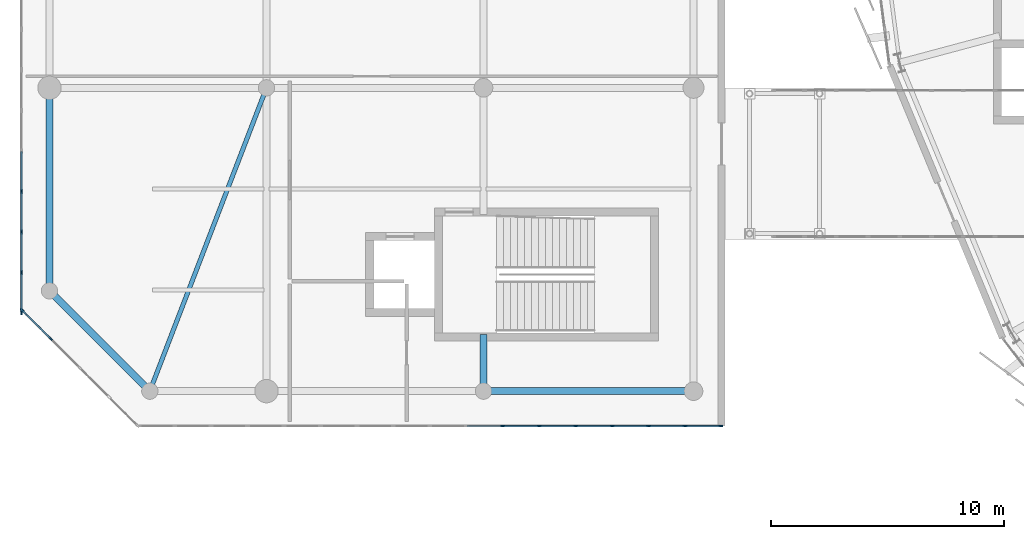
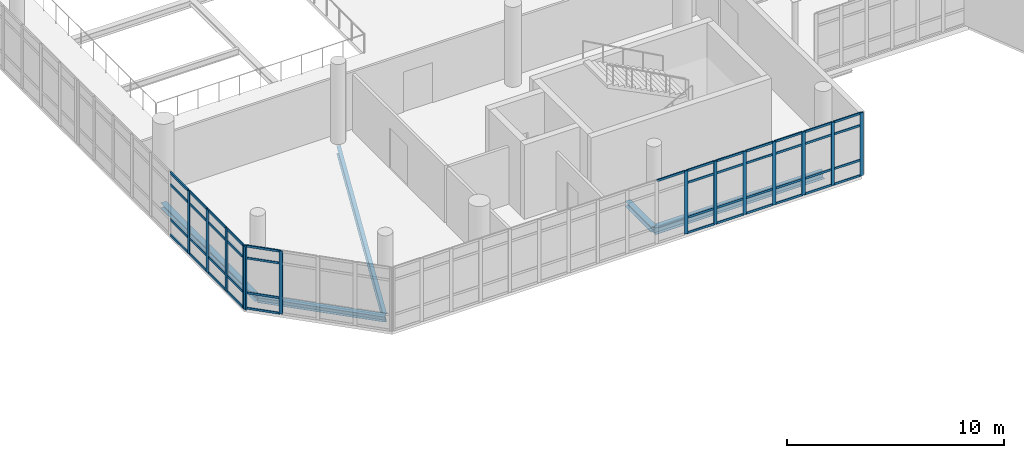
# One storey, part 27 of 125: 58 members, 5 beams, 3 elements without a shape of their own.
"""IFC4 building model written with IfcOpenShell, lengths in metres."""

import ifcopenshell
import ifcopenshell.guid

model = None  # the IFC model being written
_history = None  # IfcOwnerHistory: only IFC2X3 demands one
_inside = {}  # id of a spatial element -> (the spatial element, [elements in it])
_under = {}  # id of a project, library or spatial element -> (it, [spatial elements below it])
_declared = {}  # id of a project -> (the project, [libraries it declares])
_typed = {}  # id of a type object -> (the type object, [elements of that type])
_made_of = {}  # id of a material, layer set ... -> (it, [elements and type objects made of it])


def new_model(schema):
    """Start an empty IFC model of exactly this schema.

    Asked for "IFC4X3", IfcOpenShell would pick the latest addendum, in which some entities
    have other attributes; the version numbers below select the first issue.
    IFC2X3 requires an IfcOwnerHistory on every rooted entity: one is made here for all.
    """
    global model, _history
    if schema == "IFC4X3":
        model = ifcopenshell.file(schema_version=(4, 3, 0, 0))
    else:
        model = ifcopenshell.file(schema=schema)
    _inside.clear()
    _under.clear()
    _declared.clear()
    _typed.clear()
    _made_of.clear()
    _history = None
    if model.schema == "IFC2X3":
        org = make("IfcOrganization", Name="unknown")
        user = make(
            "IfcPersonAndOrganization",
            ThePerson=make("IfcPerson", FamilyName="unknown"),
            TheOrganization=org,
        )
        app = make(
            "IfcApplication",
            ApplicationDeveloper=org,
            Version="unknown",
            ApplicationFullName="unknown",
            ApplicationIdentifier="unknown",
        )
        _history = make(
            "IfcOwnerHistory",
            OwningUser=user,
            OwningApplication=app,
            ChangeAction="ADDED",
            CreationDate=0,
        )
    return model


def make(cls, **values):
    """One entity of the class cls with the attributes given. An attribute that is None is left unset."""
    return model.create_entity(
        cls, **{name: value for name, value in values.items() if value is not None}
    )


def rooted(cls, **values):
    """An entity with a GlobalId (a new one), such as an element, a storey or a relation."""
    return make(cls, GlobalId=ifcopenshell.guid.new(), OwnerHistory=_history, **values)


def si_unit(unit_type, name, prefix=None):
    """IfcSIUnit, for example si_unit("LENGTHUNIT", "METRE", prefix="MILLI")."""
    return make("IfcSIUnit", UnitType=unit_type, Prefix=prefix, Name=name)


def assignment(units):
    """IfcUnitAssignment: the units of a project."""
    return None if units is None else make("IfcUnitAssignment", Units=units)


def point(xyz):
    """IfcCartesianPoint."""
    return None if xyz is None else make("IfcCartesianPoint", Coordinates=xyz)


def direction(xyz):
    """IfcDirection."""
    return None if xyz is None else make("IfcDirection", DirectionRatios=xyz)


def frame(location, z_axis=None, x_axis=None):
    """IfcAxis2Placement3D, a coordinate frame: its origin and axes. An axis left out is left unset."""
    return make(
        "IfcAxis2Placement3D",
        Location=point(location),
        Axis=direction(z_axis),
        RefDirection=direction(x_axis),
    )


def frame_2d(location, x_axis=None):
    """IfcAxis2Placement2D, a coordinate frame in the plane: its origin and x axis."""
    return make(
        "IfcAxis2Placement2D", Location=point(location), RefDirection=direction(x_axis)
    )


def origin():
    """The frame at (0, 0, 0) with its axes left unset."""
    return frame((0.0, 0.0, 0.0))


def origin_2d():
    """The frame at (0, 0) in the plane with its x axis left unset."""
    return frame_2d((0.0, 0.0))


def place(relative_to, where):
    """IfcLocalPlacement: puts the frame where relative to a parent placement (None: the world)."""
    return make(
        "IfcLocalPlacement", PlacementRelTo=relative_to, RelativePlacement=where
    )


def context(
    kind, dimensions, precision=None, world=None, true_north=None, identifier=None
):
    """IfcGeometricRepresentationContext, for example the 3D "Model" context."""
    return make(
        "IfcGeometricRepresentationContext",
        ContextIdentifier=identifier,
        ContextType=kind,
        CoordinateSpaceDimension=dimensions,
        Precision=precision,
        WorldCoordinateSystem=world,
        TrueNorth=true_north,
    )


def subcontext(parent, identifier, kind, view, scale=None):
    """IfcGeometricRepresentationSubContext, for example "Body" below "Model"."""
    return make(
        "IfcGeometricRepresentationSubContext",
        ContextIdentifier=identifier,
        ContextType=kind,
        ParentContext=parent,
        TargetScale=scale,
        TargetView=view,
    )


def project(units=None, contexts=None):
    """IfcProject with its units and contexts."""
    return rooted(
        "IfcProject",
        Name="project",
        RepresentationContexts=contexts,
        UnitsInContext=assignment(units),
    )


def spatial(cls, under=None, at=None, **own):
    """A site, building, storey or space (cls), placed at a placement, below another one or the project."""
    s = rooted(cls, ObjectPlacement=at, **own)
    if under is not None:
        _under.setdefault(under.id(), (under, []))[1].append(s)
    return s


def profile(cls, at=None, kind="AREA", **sizes):
    """A parametric profile (cls). Its sizes go by their IFC names, for example OverallWidth=200.0."""
    return make(cls, ProfileType=kind, Position=at, **sizes)


def rectangle(**sizes):
    """IfcRectangleProfileDef."""
    return profile("IfcRectangleProfileDef", **sizes)


def i_section(**sizes):
    """IfcIShapeProfileDef."""
    return profile("IfcIShapeProfileDef", **sizes)


def extrude(swept, where, along, depth):
    """IfcExtrudedAreaSolid: the profile swept, set in the frame where, extruded along a direction by depth."""
    return make(
        "IfcExtrudedAreaSolid",
        SweptArea=swept,
        Position=where,
        ExtrudedDirection=direction(along),
        Depth=depth,
    )


def shape(context_of_items, identifier, shape_type, items):
    """IfcShapeRepresentation: the items that make up one representation, for example the "Body"."""
    return make(
        "IfcShapeRepresentation",
        ContextOfItems=context_of_items,
        RepresentationIdentifier=identifier,
        RepresentationType=shape_type,
        Items=items,
    )


def material(Name=None, Category=None):
    """IfcMaterial."""
    return make("IfcMaterial", Name=Name, Category=Category)


def layer(
    of_material, thickness, ventilated=None, Name=None, Category=None, Priority=None
):
    """IfcMaterialLayer: one layer of a wall or slab, of a material (None: an air gap)."""
    return make(
        "IfcMaterialLayer",
        Material=of_material,
        LayerThickness=thickness,
        IsVentilated=ventilated,
        Name=Name,
        Category=Category,
        Priority=Priority,
    )


def layer_set(layers, Name=None):
    """IfcMaterialLayerSet."""
    return make("IfcMaterialLayerSet", MaterialLayers=layers, LayerSetName=Name)


def material_profile(
    of_material, cross_section, Name=None, Category=None, Priority=None
):
    """IfcMaterialProfile: a cross section and its material."""
    return make(
        "IfcMaterialProfile",
        Name=Name,
        Material=of_material,
        Profile=cross_section,
        Priority=Priority,
        Category=Category,
    )


def profile_set(profiles, Name=None, composite=None):
    """IfcMaterialProfileSet."""
    return make(
        "IfcMaterialProfileSet",
        Name=Name,
        MaterialProfiles=profiles,
        CompositeProfile=composite,
    )


def made_of(thing, what):
    """Note that an element or type object is made of a material, layer set ...; save() writes the relation."""
    if what is not None:
        _made_of.setdefault(what.id(), (what, []))[1].append(thing)
    return thing


def type_object(cls, material=None, **own):
    """A type object (cls), such as IfcWallType, which elements share."""
    return made_of(rooted(cls, **own), material)


def element(
    cls,
    number,
    at=None,
    inside=None,
    cuts=None,
    type_object=None,
    material=None,
    context=None,
    identifier="Body",
    shape_type=None,
    held_by="IfcProductDefinitionShape",
    body=None,
    shapes=None,
    **own,
):
    """One element of the class cls, such as IfcWall. Its Tag is "e" and its number.

    at: its placement. inside: the storey or other place that contains it. cuts: it is an
    opening in that element (IfcRelVoidsElement). A single representation is given by context,
    identifier, shape_type and body (its items); several are given by shapes. held_by: the class
    of the entity that holds the representations. save() writes the other relations.
    """
    e = rooted(cls, Tag="e%d" % number, ObjectPlacement=at, **own)
    if body is not None:
        shapes = [shape(context, identifier, shape_type, body)]
    if shapes is not None:
        e.Representation = make(held_by, Representations=shapes)
    if inside is not None:
        _inside.setdefault(inside.id(), (inside, []))[1].append(e)
    if cuts is not None:
        rooted(
            "IfcRelVoidsElement", RelatingBuildingElement=cuts, RelatedOpeningElement=e
        )
    if type_object is not None:
        _typed.setdefault(type_object.id(), (type_object, []))[1].append(e)
    return made_of(e, material)


def aggregate(whole, parts):
    """IfcRelAggregates: a whole, such as a stair, and the parts it consists of."""
    return rooted("IfcRelAggregates", RelatingObject=whole, RelatedObjects=parts)


def save(model, path):
    """Write the relations noted so far, then the file.

    IfcRelAggregates (storeys below a building ...), IfcRelContainedInSpatialStructure (elements
    in a storey), IfcRelDefinesByType, IfcRelAssociatesMaterial and IfcRelDeclares: one each for
    every whole, place, type object, material and project.
    """
    for whole, parts in _under.values():
        aggregate(whole, parts)
    for where, things in _inside.values():
        rooted(
            "IfcRelContainedInSpatialStructure",
            RelatedElements=things,
            RelatingStructure=where,
        )
    for kind, things in _typed.values():
        rooted("IfcRelDefinesByType", RelatedObjects=things, RelatingType=kind)
    for what, things in _made_of.values():
        rooted("IfcRelAssociatesMaterial", RelatedObjects=things, RelatingMaterial=what)
    for by, libraries in _declared.values():
        rooted("IfcRelDeclares", RelatingContext=by, RelatedDefinitions=libraries)
    model.write(path)


model = new_model("IFC4")

# Units and contexts
model_context = context("Model", 3, precision=1e-05, world=origin(), true_north=direction((0.0, 1.0)))
body_context = subcontext(model_context, "Body", "Model", "MODEL_VIEW")
ifc_project = project(units=[si_unit("LENGTHUNIT", "METRE"), si_unit("AREAUNIT", "SQUARE_METRE"), si_unit("VOLUMEUNIT", "CUBIC_METRE"), si_unit("PLANEANGLEUNIT", "RADIAN"), si_unit("MASSUNIT", "GRAM", prefix="KILO")], contexts=[model_context])

# Site, building, storey
site_placement = place(None, origin())
site = spatial("IfcSite", under=ifc_project, at=site_placement, CompositionType="ELEMENT")
building_placement = place(site_placement, origin())
building = spatial("IfcBuilding", under=site, at=building_placement, Name="Sohan Crest Arena", CompositionType="ELEMENT")
storey_placement = place(building_placement, frame((0.0, 0.0, 9.0)))
storey = spatial("IfcBuildingStorey", under=building, at=storey_placement, Name="L02", CompositionType="ELEMENT", Elevation=9.0)

# Curtain wall, members
ifc_material_1 = material(Name="Thermally broken anodised aluminium", Category="aluminium")
ifc_layer_1 = layer(ifc_material_1, 0.199951171875, Name="Thermally broken anodised aluminium")
ifc_layer_set_1 = layer_set([ifc_layer_1], Name="Thermally broken anodised aluminium")
curtain_wall_type_1 = type_object("IfcCurtainWallType", Name="ARC-CW02", PredefinedType="NOTDEFINED", material=ifc_layer_set_1)
curtain_wall_1_placement = place(storey_placement, origin())
curtain_wall_1 = element("IfcCurtainWall", 1, at=curtain_wall_1_placement, inside=storey, type_object=curtain_wall_type_1, Name="Unitised curtain wall CW-213", PredefinedType="NOTDEFINED")
ifc_material_profile_1 = material_profile(ifc_material_1, rectangle(XDim=0.06494140625, YDim=0.179931640625, at=origin_2d()), Name="ALU-MULL 65x180")
ifc_profile_set_1 = profile_set([ifc_material_profile_1], Name="Thermally broken anodised aluminium")
member_type_1 = type_object("IfcMemberType", Name="ARC-CW-ML02", PredefinedType="MULLION", material=ifc_profile_set_1)
member_1_placement = place(storey_placement, frame((34.625, 50.0, 0.0), z_axis=(0.0, 0.0, 1.0), x_axis=(0.0, 1.0, 0.0)))
member_1 = element("IfcMember", 2, at=member_1_placement, type_object=member_type_1, Name="CW-213 mullion 11", PredefinedType="MULLION", context=body_context, shape_type="SweptSolid", body=[
    extrude(rectangle(XDim=0.06494140625, YDim=0.179931640625, at=origin_2d()), origin(), (0.0, 0.0, 1.0), 3.550048828125),
])
member_2_placement = place(storey_placement, frame((36.1875, 50.0, 0.0), z_axis=(0.0, 0.0, 1.0), x_axis=(0.0, 1.0, 0.0)))
member_2 = element("IfcMember", 3, at=member_2_placement, type_object=member_type_1, Name="CW-213 mullion 12", PredefinedType="MULLION", context=body_context, shape_type="SweptSolid", body=[
    extrude(rectangle(XDim=0.06494140625, YDim=0.179931640625, at=origin_2d()), origin(), (0.0, 0.0, 1.0), 3.550048828125),
])
member_3_placement = place(storey_placement, frame((37.75, 50.0, 0.0), z_axis=(0.0, 0.0, 1.0), x_axis=(0.0, 1.0, 0.0)))
member_3 = element("IfcMember", 4, at=member_3_placement, type_object=member_type_1, Name="CW-213 mullion 13", PredefinedType="MULLION", context=body_context, shape_type="SweptSolid", body=[
    extrude(rectangle(XDim=0.06494140625, YDim=0.179931640625, at=origin_2d()), origin(), (0.0, 0.0, 1.0), 3.550048828125),
])
member_4_placement = place(storey_placement, frame((39.3125, 50.0, 0.0), z_axis=(0.0, 0.0, 1.0), x_axis=(0.0, 1.0, 0.0)))
member_4 = element("IfcMember", 5, at=member_4_placement, type_object=member_type_1, Name="CW-213 mullion 14", PredefinedType="MULLION", context=body_context, shape_type="SweptSolid", body=[
    extrude(rectangle(XDim=0.06494140625, YDim=0.179931640625, at=origin_2d()), origin(), (0.0, 0.0, 1.0), 3.550048828125),
])
member_5_placement = place(storey_placement, frame((40.875, 50.0, 0.0), z_axis=(0.0, 0.0, 1.0), x_axis=(0.0, 1.0, 0.0)))
member_5 = element("IfcMember", 6, at=member_5_placement, type_object=member_type_1, Name="CW-213 mullion 15", PredefinedType="MULLION", context=body_context, shape_type="SweptSolid", body=[
    extrude(rectangle(XDim=0.06494140625, YDim=0.179931640625, at=origin_2d()), origin(), (0.0, 0.0, 1.0), 3.550048828125),
])
member_6_placement = place(storey_placement, frame((42.4375, 50.0, 0.0), z_axis=(0.0, 0.0, 1.0), x_axis=(0.0, 1.0, 0.0)))
member_6 = element("IfcMember", 7, at=member_6_placement, type_object=member_type_1, Name="CW-213 mullion 16", PredefinedType="MULLION", context=body_context, shape_type="SweptSolid", body=[
    extrude(rectangle(XDim=0.06494140625, YDim=0.179931640625, at=origin_2d()), origin(), (0.0, 0.0, 1.0), 3.550048828125),
])
member_7_placement = place(storey_placement, frame((43.967529296875, 50.0, 0.0), z_axis=(0.0, 0.0, 1.0), x_axis=(0.0, 1.0, 0.0)))
member_7 = element("IfcMember", 8, at=member_7_placement, type_object=member_type_1, Name="CW-213 mullion 17", PredefinedType="MULLION", context=body_context, shape_type="SweptSolid", body=[
    extrude(rectangle(XDim=0.06494140625, YDim=0.179931640625, at=origin_2d()), origin(), (0.0, 0.0, 1.0), 3.550048828125),
])

curtain_wall_2_placement = place(storey_placement, origin())
curtain_wall_2 = element("IfcCurtainWall", 9, at=curtain_wall_2_placement, inside=storey, type_object=curtain_wall_type_1, Name="Unitised curtain wall CW-219", PredefinedType="NOTDEFINED")
member_8_placement = place(storey_placement, frame((14.02294921875, 54.97705078125, 0.0), z_axis=(0.0, 0.0, 1.0), x_axis=(0.707106781187, 0.707106781187, 0.0)))
member_8 = element("IfcMember", 10, at=member_8_placement, type_object=member_type_1, Name="CW-219 mullion 1", PredefinedType="MULLION", context=body_context, shape_type="SweptSolid", body=[
    extrude(rectangle(XDim=0.06494140625, YDim=0.179931640625, at=origin_2d()), origin(), (0.0, 0.0, 1.0), 3.550048828125),
])
member_9_placement = place(storey_placement, frame((15.25, 53.75, 0.0), z_axis=(0.0, 0.0, 1.0), x_axis=(0.707106781187, 0.707106781187, 0.0)))
member_9 = element("IfcMember", 11, at=member_9_placement, type_object=member_type_1, Name="CW-219 mullion 2", PredefinedType="MULLION", context=body_context, shape_type="SweptSolid", body=[
    extrude(rectangle(XDim=0.06494140625, YDim=0.179931640625, at=origin_2d()), origin(), (0.0, 0.0, 1.0), 3.550048828125),
])

ifc_layer_2 = layer(ifc_material_1, 0.219970703125, Name="Thermally broken anodised aluminium")
ifc_layer_set_2 = layer_set([ifc_layer_2], Name="Thermally broken anodised aluminium")
curtain_wall_type_2 = type_object("IfcCurtainWallType", Name="ARC-CW03", PredefinedType="NOTDEFINED", material=ifc_layer_set_2)
curtain_wall_3_placement = place(storey_placement, origin())
curtain_wall_3 = element("IfcCurtainWall", 12, at=curtain_wall_3_placement, inside=storey, type_object=curtain_wall_type_2, Name="Unitised curtain wall CW-218", PredefinedType="NOTDEFINED")
ifc_material_profile_2 = material_profile(ifc_material_1, rectangle(XDim=0.070068359375, YDim=0.199951171875, at=origin_2d()), Name="ALU-MULL 70x200")
ifc_profile_set_2 = profile_set([ifc_material_profile_2], Name="Thermally broken anodised aluminium")
member_type_2 = type_object("IfcMemberType", Name="ARC-CW-ML03", PredefinedType="MULLION", material=ifc_profile_set_2)
member_10_placement = place(storey_placement, frame((14.0, 60.06103515625, 0.0), z_axis=(0.0, 0.0, 1.0), x_axis=(1.0, 0.0, 0.0)))
member_10 = element("IfcMember", 13, at=member_10_placement, type_object=member_type_2, Name="CW-218 mullion 7", PredefinedType="MULLION", context=body_context, shape_type="SweptSolid", body=[
    extrude(rectangle(XDim=0.070068359375, YDim=0.199951171875, at=origin_2d()), origin(), (0.0, 0.0, 1.0), 3.550048828125),
])
member_11_placement = place(storey_placement, frame((14.0, 58.323974609375, 0.0), z_axis=(0.0, 0.0, 1.0), x_axis=(1.0, 0.0, 0.0)))
member_11 = element("IfcMember", 14, at=member_11_placement, type_object=member_type_2, Name="CW-218 mullion 8", PredefinedType="MULLION", context=body_context, shape_type="SweptSolid", body=[
    extrude(rectangle(XDim=0.070068359375, YDim=0.199951171875, at=origin_2d()), origin(), (0.0, 0.0, 1.0), 3.550048828125),
])
member_12_placement = place(storey_placement, frame((14.0, 56.5869140625, 0.0), z_axis=(0.0, 0.0, 1.0), x_axis=(1.0, 0.0, 0.0)))
member_12 = element("IfcMember", 15, at=member_12_placement, type_object=member_type_2, Name="CW-218 mullion 9", PredefinedType="MULLION", context=body_context, shape_type="SweptSolid", body=[
    extrude(rectangle(XDim=0.070068359375, YDim=0.199951171875, at=origin_2d()), origin(), (0.0, 0.0, 1.0), 3.550048828125),
])
member_13_placement = place(storey_placement, frame((14.0, 54.885009765625, 0.0), z_axis=(0.0, 0.0, 1.0), x_axis=(1.0, 0.0, 0.0)))
member_13 = element("IfcMember", 16, at=member_13_placement, type_object=member_type_2, Name="CW-218 mullion 10", PredefinedType="MULLION", context=body_context, shape_type="SweptSolid", body=[
    extrude(rectangle(XDim=0.070068359375, YDim=0.199951171875, at=origin_2d()), origin(), (0.0, 0.0, 1.0), 3.550048828125),
])

# Member
ifc_material_profile_3 = material_profile(ifc_material_1, rectangle(XDim=0.06005859375, YDim=0.1201171875, at=origin_2d()), Name="ALU-TRAN 60x120")
ifc_profile_set_3 = profile_set([ifc_material_profile_3], Name="Thermally broken anodised aluminium")
member_type_3 = type_object("IfcMemberType", Name="ARC-CW-TR01", PredefinedType="USERDEFINED", material=ifc_profile_set_3)
member_14_placement = place(storey_placement, frame((33.094970703125, 50.0, 3.52001953125), z_axis=(1.0, 0.0, 0.0), x_axis=(0.0, 1.0, 0.0)))
member_14 = element("IfcMember", 17, at=member_14_placement, type_object=member_type_3, Name="CW-213 transom 10.4", ObjectType="TRANSOM", PredefinedType="USERDEFINED", context=body_context, shape_type="SweptSolid", body=[
    extrude(rectangle(XDim=0.06005859375, YDim=0.1201171875, at=origin_2d()), origin(), (0.0, 0.0, 1.0), 1.49755859375),
])

member_15_placement = place(storey_placement, frame((34.657470703125, 50.0, 0.030029296875), z_axis=(1.0, 0.0, 0.0), x_axis=(0.0, 1.0, 0.0)))
member_15 = element("IfcMember", 18, at=member_15_placement, type_object=member_type_3, Name="CW-213 transom 11.1", ObjectType="TRANSOM", PredefinedType="USERDEFINED", context=body_context, shape_type="SweptSolid", body=[
    extrude(rectangle(XDim=0.06005859375, YDim=0.1201171875, at=origin_2d()), origin(), (0.0, 0.0, 1.0), 1.49755859375),
])

member_16_placement = place(storey_placement, frame((34.657470703125, 50.0, 0.89990234375), z_axis=(1.0, 0.0, 0.0), x_axis=(0.0, 1.0, 0.0)))
member_16 = element("IfcMember", 19, at=member_16_placement, type_object=member_type_3, Name="CW-213 transom 11.2", ObjectType="TRANSOM", PredefinedType="USERDEFINED", context=body_context, shape_type="SweptSolid", body=[
    extrude(rectangle(XDim=0.06005859375, YDim=0.1201171875, at=origin_2d()), origin(), (0.0, 0.0, 1.0), 1.49755859375),
])

member_17_placement = place(storey_placement, frame((34.657470703125, 50.0, 2.85009765625), z_axis=(1.0, 0.0, 0.0), x_axis=(0.0, 1.0, 0.0)))
member_17 = element("IfcMember", 20, at=member_17_placement, type_object=member_type_3, Name="CW-213 transom 11.3", ObjectType="TRANSOM", PredefinedType="USERDEFINED", context=body_context, shape_type="SweptSolid", body=[
    extrude(rectangle(XDim=0.06005859375, YDim=0.1201171875, at=origin_2d()), origin(), (0.0, 0.0, 1.0), 1.49755859375),
])

member_18_placement = place(storey_placement, frame((34.657470703125, 50.0, 3.52001953125), z_axis=(1.0, 0.0, 0.0), x_axis=(0.0, 1.0, 0.0)))
member_18 = element("IfcMember", 21, at=member_18_placement, type_object=member_type_3, Name="CW-213 transom 11.4", ObjectType="TRANSOM", PredefinedType="USERDEFINED", context=body_context, shape_type="SweptSolid", body=[
    extrude(rectangle(XDim=0.06005859375, YDim=0.1201171875, at=origin_2d()), origin(), (0.0, 0.0, 1.0), 1.49755859375),
])

member_19_placement = place(storey_placement, frame((36.219970703125, 50.0, 0.030029296875), z_axis=(1.0, 0.0, 0.0), x_axis=(0.0, 1.0, 0.0)))
member_19 = element("IfcMember", 22, at=member_19_placement, type_object=member_type_3, Name="CW-213 transom 12.1", ObjectType="TRANSOM", PredefinedType="USERDEFINED", context=body_context, shape_type="SweptSolid", body=[
    extrude(rectangle(XDim=0.06005859375, YDim=0.1201171875, at=origin_2d()), origin(), (0.0, 0.0, 1.0), 1.49755859375),
])

member_20_placement = place(storey_placement, frame((36.219970703125, 50.0, 0.89990234375), z_axis=(1.0, 0.0, 0.0), x_axis=(0.0, 1.0, 0.0)))
member_20 = element("IfcMember", 23, at=member_20_placement, type_object=member_type_3, Name="CW-213 transom 12.2", ObjectType="TRANSOM", PredefinedType="USERDEFINED", context=body_context, shape_type="SweptSolid", body=[
    extrude(rectangle(XDim=0.06005859375, YDim=0.1201171875, at=origin_2d()), origin(), (0.0, 0.0, 1.0), 1.49755859375),
])

member_21_placement = place(storey_placement, frame((36.219970703125, 50.0, 2.85009765625), z_axis=(1.0, 0.0, 0.0), x_axis=(0.0, 1.0, 0.0)))
member_21 = element("IfcMember", 24, at=member_21_placement, type_object=member_type_3, Name="CW-213 transom 12.3", ObjectType="TRANSOM", PredefinedType="USERDEFINED", context=body_context, shape_type="SweptSolid", body=[
    extrude(rectangle(XDim=0.06005859375, YDim=0.1201171875, at=origin_2d()), origin(), (0.0, 0.0, 1.0), 1.49755859375),
])

member_22_placement = place(storey_placement, frame((36.219970703125, 50.0, 3.52001953125), z_axis=(1.0, 0.0, 0.0), x_axis=(0.0, 1.0, 0.0)))
member_22 = element("IfcMember", 25, at=member_22_placement, type_object=member_type_3, Name="CW-213 transom 12.4", ObjectType="TRANSOM", PredefinedType="USERDEFINED", context=body_context, shape_type="SweptSolid", body=[
    extrude(rectangle(XDim=0.06005859375, YDim=0.1201171875, at=origin_2d()), origin(), (0.0, 0.0, 1.0), 1.49755859375),
])

member_23_placement = place(storey_placement, frame((37.782470703125, 50.0, 0.030029296875), z_axis=(1.0, 0.0, 0.0), x_axis=(0.0, 1.0, 0.0)))
member_23 = element("IfcMember", 26, at=member_23_placement, type_object=member_type_3, Name="CW-213 transom 13.1", ObjectType="TRANSOM", PredefinedType="USERDEFINED", context=body_context, shape_type="SweptSolid", body=[
    extrude(rectangle(XDim=0.06005859375, YDim=0.1201171875, at=origin_2d()), origin(), (0.0, 0.0, 1.0), 1.49755859375),
])

member_24_placement = place(storey_placement, frame((37.782470703125, 50.0, 0.89990234375), z_axis=(1.0, 0.0, 0.0), x_axis=(0.0, 1.0, 0.0)))
member_24 = element("IfcMember", 27, at=member_24_placement, type_object=member_type_3, Name="CW-213 transom 13.2", ObjectType="TRANSOM", PredefinedType="USERDEFINED", context=body_context, shape_type="SweptSolid", body=[
    extrude(rectangle(XDim=0.06005859375, YDim=0.1201171875, at=origin_2d()), origin(), (0.0, 0.0, 1.0), 1.49755859375),
])

member_25_placement = place(storey_placement, frame((37.782470703125, 50.0, 2.85009765625), z_axis=(1.0, 0.0, 0.0), x_axis=(0.0, 1.0, 0.0)))
member_25 = element("IfcMember", 28, at=member_25_placement, type_object=member_type_3, Name="CW-213 transom 13.3", ObjectType="TRANSOM", PredefinedType="USERDEFINED", context=body_context, shape_type="SweptSolid", body=[
    extrude(rectangle(XDim=0.06005859375, YDim=0.1201171875, at=origin_2d()), origin(), (0.0, 0.0, 1.0), 1.49755859375),
])

member_26_placement = place(storey_placement, frame((37.782470703125, 50.0, 3.52001953125), z_axis=(1.0, 0.0, 0.0), x_axis=(0.0, 1.0, 0.0)))
member_26 = element("IfcMember", 29, at=member_26_placement, type_object=member_type_3, Name="CW-213 transom 13.4", ObjectType="TRANSOM", PredefinedType="USERDEFINED", context=body_context, shape_type="SweptSolid", body=[
    extrude(rectangle(XDim=0.06005859375, YDim=0.1201171875, at=origin_2d()), origin(), (0.0, 0.0, 1.0), 1.49755859375),
])

member_27_placement = place(storey_placement, frame((39.344970703125, 50.0, 0.030029296875), z_axis=(1.0, 0.0, 0.0), x_axis=(0.0, 1.0, 0.0)))
member_27 = element("IfcMember", 30, at=member_27_placement, type_object=member_type_3, Name="CW-213 transom 14.1", ObjectType="TRANSOM", PredefinedType="USERDEFINED", context=body_context, shape_type="SweptSolid", body=[
    extrude(rectangle(XDim=0.06005859375, YDim=0.1201171875, at=origin_2d()), origin(), (0.0, 0.0, 1.0), 1.49755859375),
])

member_28_placement = place(storey_placement, frame((39.344970703125, 50.0, 0.89990234375), z_axis=(1.0, 0.0, 0.0), x_axis=(0.0, 1.0, 0.0)))
member_28 = element("IfcMember", 31, at=member_28_placement, type_object=member_type_3, Name="CW-213 transom 14.2", ObjectType="TRANSOM", PredefinedType="USERDEFINED", context=body_context, shape_type="SweptSolid", body=[
    extrude(rectangle(XDim=0.06005859375, YDim=0.1201171875, at=origin_2d()), origin(), (0.0, 0.0, 1.0), 1.49755859375),
])

member_29_placement = place(storey_placement, frame((39.344970703125, 50.0, 2.85009765625), z_axis=(1.0, 0.0, 0.0), x_axis=(0.0, 1.0, 0.0)))
member_29 = element("IfcMember", 32, at=member_29_placement, type_object=member_type_3, Name="CW-213 transom 14.3", ObjectType="TRANSOM", PredefinedType="USERDEFINED", context=body_context, shape_type="SweptSolid", body=[
    extrude(rectangle(XDim=0.06005859375, YDim=0.1201171875, at=origin_2d()), origin(), (0.0, 0.0, 1.0), 1.49755859375),
])

member_30_placement = place(storey_placement, frame((39.344970703125, 50.0, 3.52001953125), z_axis=(1.0, 0.0, 0.0), x_axis=(0.0, 1.0, 0.0)))
member_30 = element("IfcMember", 33, at=member_30_placement, type_object=member_type_3, Name="CW-213 transom 14.4", ObjectType="TRANSOM", PredefinedType="USERDEFINED", context=body_context, shape_type="SweptSolid", body=[
    extrude(rectangle(XDim=0.06005859375, YDim=0.1201171875, at=origin_2d()), origin(), (0.0, 0.0, 1.0), 1.49755859375),
])

member_31_placement = place(storey_placement, frame((40.907470703125, 50.0, 0.030029296875), z_axis=(1.0, 0.0, 0.0), x_axis=(0.0, 1.0, 0.0)))
member_31 = element("IfcMember", 34, at=member_31_placement, type_object=member_type_3, Name="CW-213 transom 15.1", ObjectType="TRANSOM", PredefinedType="USERDEFINED", context=body_context, shape_type="SweptSolid", body=[
    extrude(rectangle(XDim=0.06005859375, YDim=0.1201171875, at=origin_2d()), origin(), (0.0, 0.0, 1.0), 1.49755859375),
])

member_32_placement = place(storey_placement, frame((40.907470703125, 50.0, 0.89990234375), z_axis=(1.0, 0.0, 0.0), x_axis=(0.0, 1.0, 0.0)))
member_32 = element("IfcMember", 35, at=member_32_placement, type_object=member_type_3, Name="CW-213 transom 15.2", ObjectType="TRANSOM", PredefinedType="USERDEFINED", context=body_context, shape_type="SweptSolid", body=[
    extrude(rectangle(XDim=0.06005859375, YDim=0.1201171875, at=origin_2d()), origin(), (0.0, 0.0, 1.0), 1.49755859375),
])

member_33_placement = place(storey_placement, frame((40.907470703125, 50.0, 2.85009765625), z_axis=(1.0, 0.0, 0.0), x_axis=(0.0, 1.0, 0.0)))
member_33 = element("IfcMember", 36, at=member_33_placement, type_object=member_type_3, Name="CW-213 transom 15.3", ObjectType="TRANSOM", PredefinedType="USERDEFINED", context=body_context, shape_type="SweptSolid", body=[
    extrude(rectangle(XDim=0.06005859375, YDim=0.1201171875, at=origin_2d()), origin(), (0.0, 0.0, 1.0), 1.49755859375),
])

member_34_placement = place(storey_placement, frame((40.907470703125, 50.0, 3.52001953125), z_axis=(1.0, 0.0, 0.0), x_axis=(0.0, 1.0, 0.0)))
member_34 = element("IfcMember", 37, at=member_34_placement, type_object=member_type_3, Name="CW-213 transom 15.4", ObjectType="TRANSOM", PredefinedType="USERDEFINED", context=body_context, shape_type="SweptSolid", body=[
    extrude(rectangle(XDim=0.06005859375, YDim=0.1201171875, at=origin_2d()), origin(), (0.0, 0.0, 1.0), 1.49755859375),
])

member_35_placement = place(storey_placement, frame((42.469970703125, 50.0, 0.030029296875), z_axis=(1.0, 0.0, 0.0), x_axis=(0.0, 1.0, 0.0)))
member_35 = element("IfcMember", 38, at=member_35_placement, type_object=member_type_3, Name="CW-213 transom 16.1", ObjectType="TRANSOM", PredefinedType="USERDEFINED", context=body_context, shape_type="SweptSolid", body=[
    extrude(rectangle(XDim=0.06005859375, YDim=0.1201171875, at=origin_2d()), origin(), (0.0, 0.0, 1.0), 1.465087890625),
])

member_36_placement = place(storey_placement, frame((42.469970703125, 50.0, 0.89990234375), z_axis=(1.0, 0.0, 0.0), x_axis=(0.0, 1.0, 0.0)))
member_36 = element("IfcMember", 39, at=member_36_placement, type_object=member_type_3, Name="CW-213 transom 16.2", ObjectType="TRANSOM", PredefinedType="USERDEFINED", context=body_context, shape_type="SweptSolid", body=[
    extrude(rectangle(XDim=0.06005859375, YDim=0.1201171875, at=origin_2d()), origin(), (0.0, 0.0, 1.0), 1.465087890625),
])

member_37_placement = place(storey_placement, frame((42.469970703125, 50.0, 2.85009765625), z_axis=(1.0, 0.0, 0.0), x_axis=(0.0, 1.0, 0.0)))
member_37 = element("IfcMember", 40, at=member_37_placement, type_object=member_type_3, Name="CW-213 transom 16.3", ObjectType="TRANSOM", PredefinedType="USERDEFINED", context=body_context, shape_type="SweptSolid", body=[
    extrude(rectangle(XDim=0.06005859375, YDim=0.1201171875, at=origin_2d()), origin(), (0.0, 0.0, 1.0), 1.465087890625),
])

member_38_placement = place(storey_placement, frame((42.469970703125, 50.0, 3.52001953125), z_axis=(1.0, 0.0, 0.0), x_axis=(0.0, 1.0, 0.0)))
member_38 = element("IfcMember", 41, at=member_38_placement, type_object=member_type_3, Name="CW-213 transom 16.4", ObjectType="TRANSOM", PredefinedType="USERDEFINED", context=body_context, shape_type="SweptSolid", body=[
    extrude(rectangle(XDim=0.06005859375, YDim=0.1201171875, at=origin_2d()), origin(), (0.0, 0.0, 1.0), 1.465087890625),
])

aggregate(curtain_wall_1, [member_1, member_2, member_3, member_4, member_5, member_6, member_7, member_14, member_15, member_16, member_17, member_18, member_19, member_20, member_21, member_22, member_23, member_24, member_25, member_26, member_27, member_28, member_29, member_30, member_31, member_32, member_33, member_34, member_35, member_36, member_37, member_38])

member_39_placement = place(storey_placement, frame((14.0458984375, 54.9541015625, 0.030029296875), z_axis=(0.707106781187, -0.707106781187, 0.0), x_axis=(0.707106781187, 0.707106781187, 0.0)))
member_39 = element("IfcMember", 42, at=member_39_placement, type_object=member_type_3, Name="CW-219 transom 1.1", ObjectType="TRANSOM", PredefinedType="USERDEFINED", context=body_context, shape_type="SweptSolid", body=[
    extrude(rectangle(XDim=0.06005859375, YDim=0.1201171875, at=origin_2d()), origin(), (0.0, 0.0, 1.0), 1.67041015625),
])

member_40_placement = place(storey_placement, frame((14.0458984375, 54.9541015625, 0.89990234375), z_axis=(0.707106781187, -0.707106781187, 0.0), x_axis=(0.707106781187, 0.707106781187, 0.0)))
member_40 = element("IfcMember", 43, at=member_40_placement, type_object=member_type_3, Name="CW-219 transom 1.2", ObjectType="TRANSOM", PredefinedType="USERDEFINED", context=body_context, shape_type="SweptSolid", body=[
    extrude(rectangle(XDim=0.06005859375, YDim=0.1201171875, at=origin_2d()), origin(), (0.0, 0.0, 1.0), 1.67041015625),
])

member_41_placement = place(storey_placement, frame((14.0458984375, 54.9541015625, 2.85009765625), z_axis=(0.707106781187, -0.707106781187, 0.0), x_axis=(0.707106781187, 0.707106781187, 0.0)))
member_41 = element("IfcMember", 44, at=member_41_placement, type_object=member_type_3, Name="CW-219 transom 1.3", ObjectType="TRANSOM", PredefinedType="USERDEFINED", context=body_context, shape_type="SweptSolid", body=[
    extrude(rectangle(XDim=0.06005859375, YDim=0.1201171875, at=origin_2d()), origin(), (0.0, 0.0, 1.0), 1.67041015625),
])

member_42_placement = place(storey_placement, frame((14.0458984375, 54.9541015625, 3.52001953125), z_axis=(0.707106781187, -0.707106781187, 0.0), x_axis=(0.707106781187, 0.707106781187, 0.0)))
member_42 = element("IfcMember", 45, at=member_42_placement, type_object=member_type_3, Name="CW-219 transom 1.4", ObjectType="TRANSOM", PredefinedType="USERDEFINED", context=body_context, shape_type="SweptSolid", body=[
    extrude(rectangle(XDim=0.06005859375, YDim=0.1201171875, at=origin_2d()), origin(), (0.0, 0.0, 1.0), 1.67041015625),
])

aggregate(curtain_wall_2, [member_8, member_9, member_39, member_40, member_41, member_42])

ifc_material_profile_4 = material_profile(ifc_material_1, rectangle(XDim=0.06494140625, YDim=0.139892578125, at=origin_2d()), Name="ALU-TRAN 65x140")
ifc_profile_set_4 = profile_set([ifc_material_profile_4], Name="Thermally broken anodised aluminium")
member_type_4 = type_object("IfcMemberType", Name="ARC-CW-TR02", PredefinedType="USERDEFINED", material=ifc_profile_set_4)
member_43_placement = place(storey_placement, frame((14.0, 61.762939453125, 0.032470703125), z_axis=(0.0, -1.0, 0.0), x_axis=(1.0, 0.0, 0.0)))
member_43 = element("IfcMember", 46, at=member_43_placement, type_object=member_type_4, Name="CW-218 transom 6.1", ObjectType="TRANSOM", PredefinedType="USERDEFINED", context=body_context, shape_type="SweptSolid", body=[
    extrude(rectangle(XDim=0.06494140625, YDim=0.139892578125, at=origin_2d()), origin(), (0.0, 0.0, 1.0), 1.6669921875),
])

member_44_placement = place(storey_placement, frame((14.0, 61.762939453125, 0.89990234375), z_axis=(0.0, -1.0, 0.0), x_axis=(1.0, 0.0, 0.0)))
member_44 = element("IfcMember", 47, at=member_44_placement, type_object=member_type_4, Name="CW-218 transom 6.2", ObjectType="TRANSOM", PredefinedType="USERDEFINED", context=body_context, shape_type="SweptSolid", body=[
    extrude(rectangle(XDim=0.06494140625, YDim=0.139892578125, at=origin_2d()), origin(), (0.0, 0.0, 1.0), 1.6669921875),
])

member_45_placement = place(storey_placement, frame((14.0, 61.762939453125, 2.85009765625), z_axis=(0.0, -1.0, 0.0), x_axis=(1.0, 0.0, 0.0)))
member_45 = element("IfcMember", 48, at=member_45_placement, type_object=member_type_4, Name="CW-218 transom 6.3", ObjectType="TRANSOM", PredefinedType="USERDEFINED", context=body_context, shape_type="SweptSolid", body=[
    extrude(rectangle(XDim=0.06494140625, YDim=0.139892578125, at=origin_2d()), origin(), (0.0, 0.0, 1.0), 1.6669921875),
])

member_46_placement = place(storey_placement, frame((14.0, 61.762939453125, 3.517578125), z_axis=(0.0, -1.0, 0.0), x_axis=(1.0, 0.0, 0.0)))
member_46 = element("IfcMember", 49, at=member_46_placement, type_object=member_type_4, Name="CW-218 transom 6.4", ObjectType="TRANSOM", PredefinedType="USERDEFINED", context=body_context, shape_type="SweptSolid", body=[
    extrude(rectangle(XDim=0.06494140625, YDim=0.139892578125, at=origin_2d()), origin(), (0.0, 0.0, 1.0), 1.6669921875),
])

member_47_placement = place(storey_placement, frame((14.0, 60.02587890625, 0.032470703125), z_axis=(0.0, -1.0, 0.0), x_axis=(1.0, 0.0, 0.0)))
member_47 = element("IfcMember", 50, at=member_47_placement, type_object=member_type_4, Name="CW-218 transom 7.1", ObjectType="TRANSOM", PredefinedType="USERDEFINED", context=body_context, shape_type="SweptSolid", body=[
    extrude(rectangle(XDim=0.06494140625, YDim=0.139892578125, at=origin_2d()), origin(), (0.0, 0.0, 1.0), 1.6669921875),
])

member_48_placement = place(storey_placement, frame((14.0, 60.02587890625, 0.89990234375), z_axis=(0.0, -1.0, 0.0), x_axis=(1.0, 0.0, 0.0)))
member_48 = element("IfcMember", 51, at=member_48_placement, type_object=member_type_4, Name="CW-218 transom 7.2", ObjectType="TRANSOM", PredefinedType="USERDEFINED", context=body_context, shape_type="SweptSolid", body=[
    extrude(rectangle(XDim=0.06494140625, YDim=0.139892578125, at=origin_2d()), origin(), (0.0, 0.0, 1.0), 1.6669921875),
])

member_49_placement = place(storey_placement, frame((14.0, 60.02587890625, 2.85009765625), z_axis=(0.0, -1.0, 0.0), x_axis=(1.0, 0.0, 0.0)))
member_49 = element("IfcMember", 52, at=member_49_placement, type_object=member_type_4, Name="CW-218 transom 7.3", ObjectType="TRANSOM", PredefinedType="USERDEFINED", context=body_context, shape_type="SweptSolid", body=[
    extrude(rectangle(XDim=0.06494140625, YDim=0.139892578125, at=origin_2d()), origin(), (0.0, 0.0, 1.0), 1.6669921875),
])

member_50_placement = place(storey_placement, frame((14.0, 60.02587890625, 3.517578125), z_axis=(0.0, -1.0, 0.0), x_axis=(1.0, 0.0, 0.0)))
member_50 = element("IfcMember", 53, at=member_50_placement, type_object=member_type_4, Name="CW-218 transom 7.4", ObjectType="TRANSOM", PredefinedType="USERDEFINED", context=body_context, shape_type="SweptSolid", body=[
    extrude(rectangle(XDim=0.06494140625, YDim=0.139892578125, at=origin_2d()), origin(), (0.0, 0.0, 1.0), 1.6669921875),
])

member_51_placement = place(storey_placement, frame((14.0, 58.2890625, 0.032470703125), z_axis=(0.0, -1.0, 0.0), x_axis=(1.0, 0.0, 0.0)))
member_51 = element("IfcMember", 54, at=member_51_placement, type_object=member_type_4, Name="CW-218 transom 8.1", ObjectType="TRANSOM", PredefinedType="USERDEFINED", context=body_context, shape_type="SweptSolid", body=[
    extrude(rectangle(XDim=0.06494140625, YDim=0.139892578125, at=origin_2d()), origin(), (0.0, 0.0, 1.0), 1.6669921875),
])

member_52_placement = place(storey_placement, frame((14.0, 58.2890625, 0.89990234375), z_axis=(0.0, -1.0, 0.0), x_axis=(1.0, 0.0, 0.0)))
member_52 = element("IfcMember", 55, at=member_52_placement, type_object=member_type_4, Name="CW-218 transom 8.2", ObjectType="TRANSOM", PredefinedType="USERDEFINED", context=body_context, shape_type="SweptSolid", body=[
    extrude(rectangle(XDim=0.06494140625, YDim=0.139892578125, at=origin_2d()), origin(), (0.0, 0.0, 1.0), 1.6669921875),
])

member_53_placement = place(storey_placement, frame((14.0, 58.2890625, 2.85009765625), z_axis=(0.0, -1.0, 0.0), x_axis=(1.0, 0.0, 0.0)))
member_53 = element("IfcMember", 56, at=member_53_placement, type_object=member_type_4, Name="CW-218 transom 8.3", ObjectType="TRANSOM", PredefinedType="USERDEFINED", context=body_context, shape_type="SweptSolid", body=[
    extrude(rectangle(XDim=0.06494140625, YDim=0.139892578125, at=origin_2d()), origin(), (0.0, 0.0, 1.0), 1.6669921875),
])

member_54_placement = place(storey_placement, frame((14.0, 58.2890625, 3.517578125), z_axis=(0.0, -1.0, 0.0), x_axis=(1.0, 0.0, 0.0)))
member_54 = element("IfcMember", 57, at=member_54_placement, type_object=member_type_4, Name="CW-218 transom 8.4", ObjectType="TRANSOM", PredefinedType="USERDEFINED", context=body_context, shape_type="SweptSolid", body=[
    extrude(rectangle(XDim=0.06494140625, YDim=0.139892578125, at=origin_2d()), origin(), (0.0, 0.0, 1.0), 1.6669921875),
])

member_55_placement = place(storey_placement, frame((14.0, 56.552001953125, 0.032470703125), z_axis=(0.0, -1.0, 0.0), x_axis=(1.0, 0.0, 0.0)))
member_55 = element("IfcMember", 58, at=member_55_placement, type_object=member_type_4, Name="CW-218 transom 9.1", ObjectType="TRANSOM", PredefinedType="USERDEFINED", context=body_context, shape_type="SweptSolid", body=[
    extrude(rectangle(XDim=0.06494140625, YDim=0.139892578125, at=origin_2d()), origin(), (0.0, 0.0, 1.0), 1.632080078125),
])

member_56_placement = place(storey_placement, frame((14.0, 56.552001953125, 0.89990234375), z_axis=(0.0, -1.0, 0.0), x_axis=(1.0, 0.0, 0.0)))
member_56 = element("IfcMember", 59, at=member_56_placement, type_object=member_type_4, Name="CW-218 transom 9.2", ObjectType="TRANSOM", PredefinedType="USERDEFINED", context=body_context, shape_type="SweptSolid", body=[
    extrude(rectangle(XDim=0.06494140625, YDim=0.139892578125, at=origin_2d()), origin(), (0.0, 0.0, 1.0), 1.632080078125),
])

member_57_placement = place(storey_placement, frame((14.0, 56.552001953125, 2.85009765625), z_axis=(0.0, -1.0, 0.0), x_axis=(1.0, 0.0, 0.0)))
member_57 = element("IfcMember", 60, at=member_57_placement, type_object=member_type_4, Name="CW-218 transom 9.3", ObjectType="TRANSOM", PredefinedType="USERDEFINED", context=body_context, shape_type="SweptSolid", body=[
    extrude(rectangle(XDim=0.06494140625, YDim=0.139892578125, at=origin_2d()), origin(), (0.0, 0.0, 1.0), 1.632080078125),
])

member_58_placement = place(storey_placement, frame((14.0, 56.552001953125, 3.517578125), z_axis=(0.0, -1.0, 0.0), x_axis=(1.0, 0.0, 0.0)))
member_58 = element("IfcMember", 61, at=member_58_placement, type_object=member_type_4, Name="CW-218 transom 9.4", ObjectType="TRANSOM", PredefinedType="USERDEFINED", context=body_context, shape_type="SweptSolid", body=[
    extrude(rectangle(XDim=0.06494140625, YDim=0.139892578125, at=origin_2d()), origin(), (0.0, 0.0, 1.0), 1.632080078125),
])

aggregate(curtain_wall_3, [member_10, member_11, member_12, member_13, member_43, member_44, member_45, member_46, member_47, member_48, member_49, member_50, member_51, member_52, member_53, member_54, member_55, member_56, member_57, member_58])

# Beams
ifc_material_2 = material(Name="Steel S355", Category="steel")
ifc_material_profile_5 = material_profile(ifc_material_2, i_section(OverallWidth=0.18994140625, OverallDepth=0.449951171875, WebThickness=0.009521484375, FlangeThickness=0.0146484375, at=origin_2d()), Name="IPE 450")
ifc_profile_set_5 = profile_set([ifc_material_profile_5], Name="Steel S355")
beam_type_1 = type_object("IfcBeamType", Name="STR-BM-B04", PredefinedType="JOIST", material=ifc_profile_set_5)
beam_1_placement = place(storey_placement, frame((19.5390625, 51.60302734375, -0.43505859375), z_axis=(0.359050685685, 0.933318062136, 0.0), x_axis=(-0.933318062136, 0.359050685685, 0.0)))
element("IfcBeam", 62, at=beam_1_placement, inside=storey, type_object=beam_type_1, Name="Structural beam J-L02-2087", PredefinedType="JOIST", context=body_context, shape_type="SweptSolid", body=[
    extrude(i_section(OverallWidth=0.18994140625, OverallDepth=0.449951171875, WebThickness=0.009521484375, FlangeThickness=0.0146484375, at=origin_2d()), origin(), (0.0, 0.0, 1.0), 13.7080078125),
])
ifc_material_profile_6 = material_profile(ifc_material_2, i_section(OverallWidth=0.300048828125, OverallDepth=0.2900390625, WebThickness=0.008544921875, FlangeThickness=0.013916015625, at=origin_2d()), Name="HEA 300")
ifc_profile_set_6 = profile_set([ifc_material_profile_6], Name="Steel S355")
beam_type_2 = type_object("IfcBeamType", Name="STR-BM-B08", PredefinedType="BEAM", material=ifc_profile_set_6)
beam_2_placement = place(storey_placement, frame((15.199951171875, 55.800048828125, -0.35498046875), z_axis=(0.0, 1.0, 0.0), x_axis=(-1.0, 0.0, 0.0)))
element("IfcBeam", 63, at=beam_2_placement, inside=storey, type_object=beam_type_2, Name="Structural beam G-L02-2034", PredefinedType="BEAM", context=body_context, shape_type="SweptSolid", body=[
    extrude(i_section(OverallWidth=0.300048828125, OverallDepth=0.2900390625, WebThickness=0.008544921875, FlangeThickness=0.013916015625, at=origin_2d()), origin(), (0.0, 0.0, 1.0), 8.699951171875),
])
beam_3_placement = place(storey_placement, frame((33.800048828125, 51.5, -0.35498046875), z_axis=(0.0, 1.0, 0.0), x_axis=(-1.0, 0.0, 0.0)))
element("IfcBeam", 64, at=beam_3_placement, inside=storey, type_object=beam_type_2, Name="Structural beam G-L02-2042", PredefinedType="BEAM", context=body_context, shape_type="SweptSolid", body=[
    extrude(i_section(OverallWidth=0.300048828125, OverallDepth=0.2900390625, WebThickness=0.008544921875, FlangeThickness=0.013916015625, at=origin_2d()), origin(), (0.0, 0.0, 1.0), 2.419921875),
])
beam_4_placement = place(storey_placement, frame((15.199951171875, 55.800048828125, -0.35498046875), z_axis=(0.707106781187, -0.707106781187, 0.0), x_axis=(0.707106781187, 0.707106781187, 0.0)))
element("IfcBeam", 65, at=beam_4_placement, inside=storey, type_object=beam_type_2, Name="Structural beam G-L02-2085", PredefinedType="BEAM", context=body_context, shape_type="SweptSolid", body=[
    extrude(i_section(OverallWidth=0.300048828125, OverallDepth=0.2900390625, WebThickness=0.008544921875, FlangeThickness=0.013916015625, at=origin_2d()), origin(), (0.0, 0.0, 1.0), 6.081298828125),
])
ifc_material_profile_7 = material_profile(ifc_material_2, i_section(OverallWidth=0.300048828125, OverallDepth=0.389892578125, WebThickness=0.010986328125, FlangeThickness=0.01904296875, at=origin_2d()), Name="HEA 400")
ifc_profile_set_7 = profile_set([ifc_material_profile_7], Name="Steel S355")
beam_type_3 = type_object("IfcBeamType", Name="STR-BM-B09", PredefinedType="BEAM", material=ifc_profile_set_7)
beam_5_placement = place(storey_placement, frame((33.800048828125, 51.5, -0.405029296875), z_axis=(1.0, 0.0, 0.0), x_axis=(0.0, 1.0, 0.0)))
element("IfcBeam", 66, at=beam_5_placement, inside=storey, type_object=beam_type_3, Name="Structural beam G-L02-2057", PredefinedType="BEAM", context=body_context, shape_type="SweptSolid", body=[
    extrude(i_section(OverallWidth=0.300048828125, OverallDepth=0.389892578125, WebThickness=0.010986328125, FlangeThickness=0.01904296875, at=origin_2d()), origin(), (0.0, 0.0, 1.0), 9.0),
])

save(model, "model.ifc")
